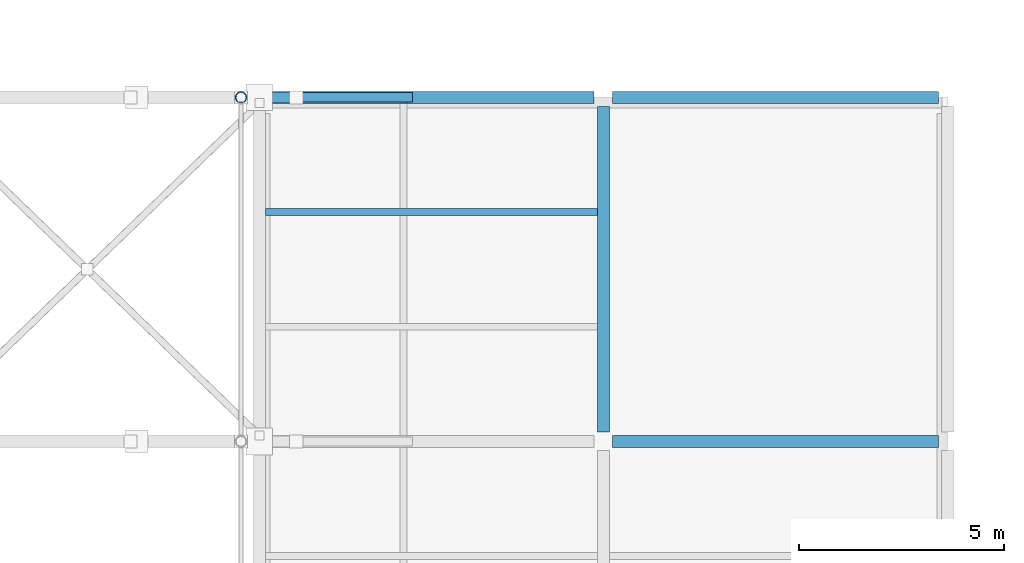
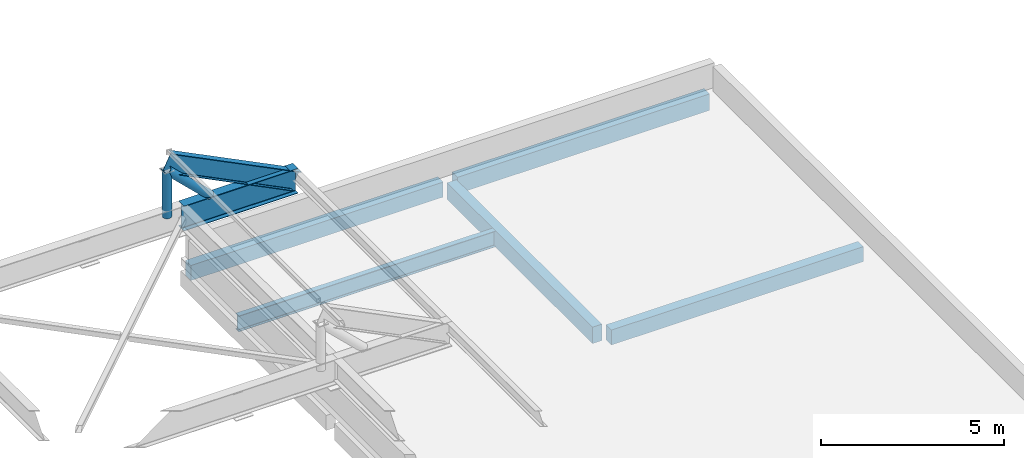
# One storey, part 21 of 41: 7 beams, 2 members.
"""IFC4 building model written with IfcOpenShell, lengths in metres."""

from ifc_helpers import new_model, si_unit, direction, frame, origin, origin_2d, place, context, subcontext, project, spatial, rectangle, hollow_circle, i_section, extrude, material, material_profile, profile_set, type_object, element, save


model = new_model("IFC4")

# Units and contexts
model_context = context("Model", 3, precision=1e-05, world=origin(), true_north=direction((0.0, 1.0)))
body_context = subcontext(model_context, "Body", "Model", "MODEL_VIEW")
ifc_project = project(units=[si_unit("LENGTHUNIT", "METRE"), si_unit("AREAUNIT", "SQUARE_METRE"), si_unit("VOLUMEUNIT", "CUBIC_METRE"), si_unit("PLANEANGLEUNIT", "RADIAN"), si_unit("MASSUNIT", "GRAM", prefix="KILO")], contexts=[model_context])

# Site, building, storey
site_placement = place(None, origin())
site = spatial("IfcSite", under=ifc_project, at=site_placement, CompositionType="ELEMENT")
building_placement = place(site_placement, origin())
building = spatial("IfcBuilding", under=site, at=building_placement, Name="Vireocrest Preparatory School", CompositionType="ELEMENT")
storey_placement = place(building_placement, frame((0.0, 0.0, 21.60009765625)))
storey = spatial("IfcBuildingStorey", under=building, at=storey_placement, Name="L05", CompositionType="ELEMENT", Elevation=21.60009765625)

# Beams
ifc_material_1 = material(Name="Structural steel ASTM A992 Grade 50", Category="steel")
ifc_material_profile_1 = material_profile(ifc_material_1, i_section(OverallWidth=0.2919921875, OverallDepth=0.8349609375, WebThickness=0.013916015625, FlangeThickness=0.018798828125, FilletRadius=0.02001953125, at=origin_2d()), Name="W33X118")
ifc_profile_set_1 = profile_set([ifc_material_profile_1], Name="Structural steel ASTM A992 Grade 50")
beam_type_1 = type_object("IfcBeamType", Name="Central Court Canopy Primary Girder W33X118", PredefinedType="BEAM", material=ifc_profile_set_1)
beam_1_placement = place(storey_placement, frame((92.39990234375, 85.800048828125, 1.41748046875), z_axis=(1.0, 0.0, 0.0), x_axis=(0.0, 1.0, 0.0)))
element("IfcBeam", 1, at=beam_1_placement, inside=storey, type_object=beam_type_1, Name="Central Court Canopy Primary Girder CG1-8E", PredefinedType="BEAM", context=body_context, shape_type="SweptSolid", body=[
    extrude(i_section(OverallWidth=0.2919921875, OverallDepth=0.8349609375, WebThickness=0.013916015625, FlangeThickness=0.018798828125, FilletRadius=0.02001953125, at=origin_2d()), origin(), (0.0, 0.0, 1.0), 3.60009765625),
])
ifc_material_profile_2 = material_profile(ifc_material_1, i_section(OverallWidth=0.22802734375, OverallDepth=0.60302734375, WebThickness=0.010498046875, FlangeThickness=0.014892578125, FilletRadius=0.01611328125, at=origin_2d()), Name="W24X68")
ifc_profile_set_2 = profile_set([ifc_material_profile_2], Name="Structural steel ASTM A992 Grade 50")
beam_type_2 = type_object("IfcBeamType", Name="Dining Pavilion Roof Girder W24X68", PredefinedType="BEAM", material=ifc_profile_set_2)
beam_2_placement = place(storey_placement, frame((91.949951171875, 85.800048828125, 3.394287109375), z_axis=(0.894869090369, 0.0, -0.446328702979), x_axis=(0.0, 1.0, 0.0)))
element("IfcBeam", 2, at=beam_2_placement, inside=storey, type_object=beam_type_2, Name="Canopy Rafter Chord SB4-8-8", PredefinedType="BEAM", context=body_context, shape_type="SweptSolid", body=[
    extrude(i_section(OverallWidth=0.22802734375, OverallDepth=0.60302734375, WebThickness=0.010498046875, FlangeThickness=0.014892578125, FilletRadius=0.01611328125, at=origin_2d()), origin(), (0.0, 0.0, 1.0), 4.52587890625),
])
ifc_material_profile_3 = material_profile(ifc_material_1, i_section(OverallWidth=0.166015625, OverallDepth=0.529052734375, WebThickness=0.009765625, FlangeThickness=0.013671875, FilletRadius=0.014892578125, at=origin_2d()), Name="W21X50")
ifc_profile_set_3 = profile_set([ifc_material_profile_3], Name="Structural steel ASTM A992 Grade 50")
beam_type_3 = type_object("IfcBeamType", Name="Pavilion Roof Joist W21X50", PredefinedType="JOIST", material=ifc_profile_set_3)
beam_3_placement = place(storey_placement, frame((92.550048828125, 83.0, -0.484619140625), z_axis=(1.0, 0.0, 0.0), x_axis=(0.0, 1.0, 0.0)))
element("IfcBeam", 3, at=beam_3_placement, inside=storey, type_object=beam_type_3, Name="Secondary Joist SJ1 L05-1674", PredefinedType="JOIST", context=body_context, shape_type="SweptSolid", body=[
    extrude(i_section(OverallWidth=0.166015625, OverallDepth=0.529052734375, WebThickness=0.009765625, FlangeThickness=0.013671875, FilletRadius=0.014892578125, at=origin_2d()), origin(), (0.0, 0.0, 1.0), 8.099853515625),
])
ifc_material_2 = material(Name="Concrete 40 MPa", Category="concrete")
ifc_material_profile_4 = material_profile(ifc_material_2, rectangle(XDim=0.300048828125, YDim=0.5, at=origin_2d()), Name="RC 300x500")
ifc_profile_set_4 = profile_set([ifc_material_profile_4], Name="Concrete 40 MPa")
beam_type_4 = type_object("IfcBeamType", Name="RC Roof Edge Beam 300x500", PredefinedType="BEAM", material=ifc_profile_set_4)
beam_4_placement = place(storey_placement, frame((101.02490234375, 77.39990234375, -0.47021484375), z_axis=(1.0, 0.0, 0.0), x_axis=(0.0, 1.0, 0.0)))
element("IfcBeam", 4, at=beam_4_placement, inside=storey, type_object=beam_type_4, Name="Primary Girder B01 L05-1541", PredefinedType="BEAM", context=body_context, shape_type="SweptSolid", body=[
    extrude(rectangle(XDim=0.300048828125, YDim=0.5, at=origin_2d()), origin(), (0.0, 0.0, 1.0), 7.9501953125),
])
beam_5_placement = place(storey_placement, frame((92.625, 85.800048828125, -0.47021484375), z_axis=(1.0, 0.0, 0.0), x_axis=(0.0, 1.0, 0.0)))
element("IfcBeam", 5, at=beam_5_placement, inside=storey, type_object=beam_type_4, Name="Primary Girder B01 L05-1545", PredefinedType="BEAM", context=body_context, shape_type="SweptSolid", body=[
    extrude(rectangle(XDim=0.300048828125, YDim=0.5, at=origin_2d()), origin(), (0.0, 0.0, 1.0), 7.949951171875),
])
ifc_material_profile_5 = material_profile(ifc_material_2, rectangle(XDim=0.300048828125, YDim=0.550048828125, at=origin_2d()), Name="RC 300x550")
ifc_profile_set_5 = profile_set([ifc_material_profile_5], Name="Concrete 40 MPa")
beam_type_5 = type_object("IfcBeamType", Name="RC Roof Girder 300x550", PredefinedType="BEAM", material=ifc_profile_set_5)
beam_6_placement = place(storey_placement, frame((101.02490234375, 85.800048828125, -0.4951171875), z_axis=(1.0, 0.0, 0.0), x_axis=(0.0, 1.0, 0.0)))
element("IfcBeam", 6, at=beam_6_placement, inside=storey, type_object=beam_type_5, Name="Primary Girder B02 L05-1546", PredefinedType="BEAM", context=body_context, shape_type="SweptSolid", body=[
    extrude(rectangle(XDim=0.300048828125, YDim=0.550048828125, at=origin_2d()), origin(), (0.0, 0.0, 1.0), 7.9501953125),
])
beam_7_placement = place(storey_placement, frame((100.800048828125, 77.625, -0.4951171875), z_axis=(0.0, 1.0, 0.0), x_axis=(-1.0, 0.0, 0.0)))
element("IfcBeam", 7, at=beam_7_placement, inside=storey, type_object=beam_type_5, Name="Primary Girder B02 L05-1607", PredefinedType="BEAM", context=body_context, shape_type="SweptSolid", body=[
    extrude(rectangle(XDim=0.300048828125, YDim=0.550048828125, at=origin_2d()), origin(), (0.0, 0.0, 1.0), 7.949951171875),
])

# Members
ifc_material_3 = material(Name="Painted white steel ASTM A500 Grade C", Category="steel")
ifc_material_profile_6 = material_profile(ifc_material_3, hollow_circle(Radius=0.136474609375, WallThickness=0.0126953125, at=origin_2d()), Name="HSS10.750X0.500")
ifc_profile_set_6 = profile_set([ifc_material_profile_6], Name="Painted white steel ASTM A500 Grade C")
member_type = type_object("IfcMemberType", Name="White Steel Clerestory Strut HSS10.750X0.500", PredefinedType="USERDEFINED", material=ifc_profile_set_6)
member_1_placement = place(storey_placement, frame((91.949951171875, 85.800048828125, 1.577392578125), z_axis=(0.0, 0.0, 1.0), x_axis=(1.0, 0.0, 0.0)))
element("IfcMember", 8, at=member_1_placement, inside=storey, type_object=member_type, Name="Canopy Truss Web Vertical VS3-8-8", ObjectType="STRUT", PredefinedType="USERDEFINED", context=body_context, shape_type="SweptSolid", body=[
    extrude(hollow_circle(Radius=0.136474609375, WallThickness=0.0126953125, at=origin_2d()), origin(), (0.0, 0.0, 1.0), 1.54052734375),
])
member_2_placement = place(storey_placement, frame((93.300048828125, 85.800048828125, 1.81494140625), z_axis=(-0.719551659837, 0.0, 0.694438916555), x_axis=(0.0, -1.0, 0.0)))
element("IfcMember", 9, at=member_2_placement, inside=storey, type_object=member_type, Name="Canopy Truss Web Strut VS3-8-7", ObjectType="STRUT", PredefinedType="USERDEFINED", context=body_context, shape_type="SweptSolid", body=[
    extrude(hollow_circle(Radius=0.136474609375, WallThickness=0.0126953125, at=origin_2d()), origin(), (0.0, 0.0, 1.0), 1.876220703125),
])

save(model, "model.ifc")
